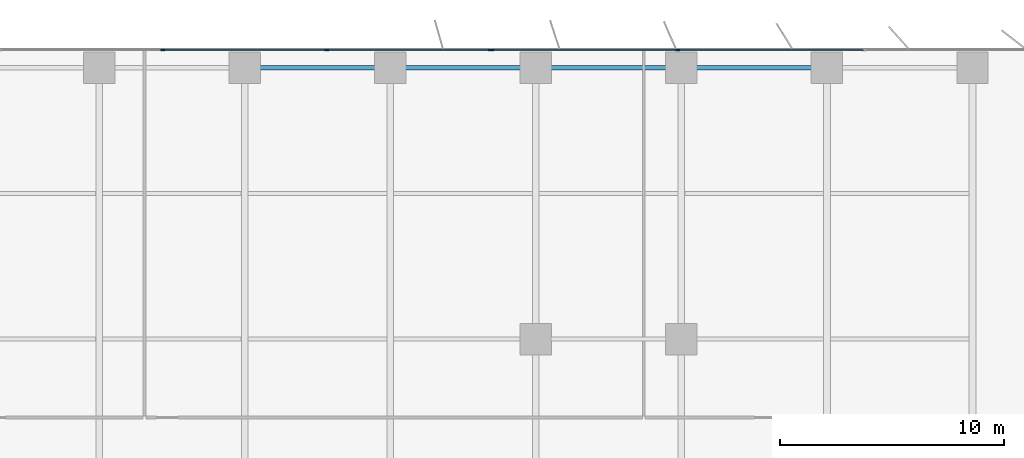
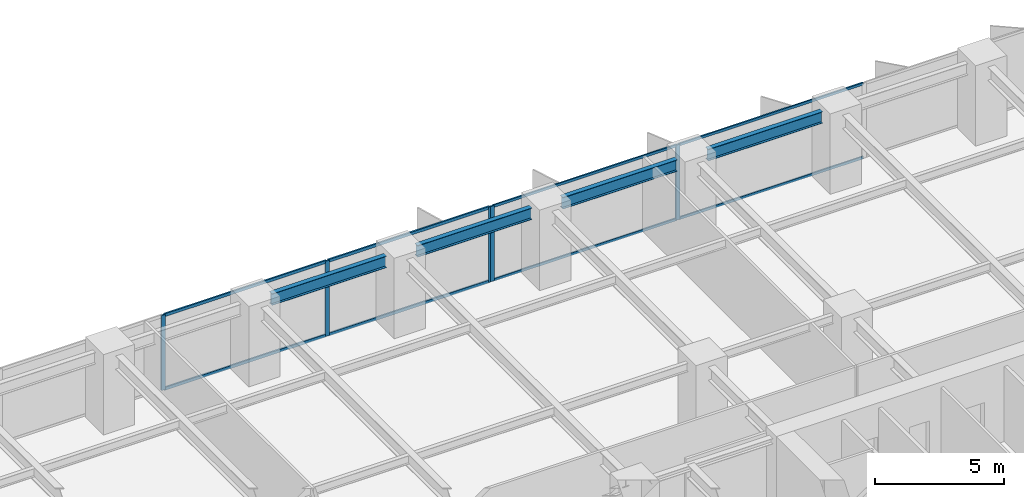
# One storey, part 9 of 20: 13 members, 4 beams, 2 elements without a shape of their own.
"""IFC4 building model written with IfcOpenShell, lengths in metres."""

from ifc_helpers import new_model, si_unit, direction, frame, origin, origin_2d, place, context, subcontext, project, spatial, rectangle, i_section, extrude, material, layer, layer_set, material_profile, profile_set, type_object, element, aggregate, save


model = new_model("IFC4")

# Units and contexts
model_context = context("Model", 3, precision=1e-05, world=origin(), true_north=direction((0.0, 1.0)))
body_context = subcontext(model_context, "Body", "Model", "MODEL_VIEW")
ifc_project = project(units=[si_unit("LENGTHUNIT", "METRE"), si_unit("AREAUNIT", "SQUARE_METRE"), si_unit("VOLUMEUNIT", "CUBIC_METRE"), si_unit("PLANEANGLEUNIT", "RADIAN"), si_unit("MASSUNIT", "GRAM", prefix="KILO")], contexts=[model_context])

# Site, building, storey
site_placement = place(None, origin())
site = spatial("IfcSite", under=ifc_project, at=site_placement, CompositionType="ELEMENT")
building_placement = place(site_placement, origin())
building = spatial("IfcBuilding", under=site, at=building_placement, Name="Putna Gate Headquarters", CompositionType="ELEMENT")
storey_placement = place(building_placement, frame((0.0, 0.0, 62.0)))
storey = spatial("IfcBuildingStorey", under=building, at=storey_placement, Name="L14", CompositionType="ELEMENT", Elevation=62.0)

# Beams
ifc_material_1 = material(Name="Steel S355J2", Category="steel")
ifc_material_profile_1 = material_profile(ifc_material_1, i_section(OverallWidth=0.2099609375, OverallDepth=0.550048828125, WebThickness=0.010986328125, FlangeThickness=0.01708984375, at=origin_2d()), Name="Steel S355J2")
ifc_profile_set_1 = profile_set([ifc_material_profile_1], Name="Steel S355J2")
beam_type = type_object("IfcBeamType", Name="BM-SPAN-Z1-IPE550", PredefinedType="SPANDREL", material=ifc_profile_set_1)
for number, where, z_axis, x_axis, name in (
    (1, (39.68798828125, 51.1201171875, 3.27490234375), (1.0, 0.0, 0.0), (0.0, 1.0, 0.0), "L14 N Perimeter Spandrel 6"),
    (2, (46.18798828125, 51.1201171875, 3.27490234375), (1.0, 0.0, 0.0), (0.0, 1.0, 0.0), "L14 N Perimeter Spandrel 7"),
    (3, (52.68798828125, 51.1201171875, 3.27490234375), (1.0, 0.0, 0.0), (0.0, 1.0, 0.0), "L14 N Perimeter Spandrel 8"),
    (4, (59.18798828125, 51.1201171875, 3.27490234375), (1.0, 0.0, 0.0), (0.0, 1.0, 0.0), "L14 N Perimeter Spandrel 9"),
):
    element("IfcBeam", number, at=place(storey_placement, frame(where, z_axis=z_axis, x_axis=x_axis)), inside=storey, type_object=beam_type, Name=name, PredefinedType="SPANDREL", context=body_context, shape_type="SweptSolid", body=[
        extrude(i_section(OverallWidth=0.2099609375, OverallDepth=0.550048828125, WebThickness=0.010986328125, FlangeThickness=0.01708984375, at=origin_2d()), origin(), (0.0, 0.0, 1.0), 5.1240234375),
    ])

# Curtain wall, members
ifc_material_2 = material(Name="Anodised bronze aluminium curtain wall", Category="aluminium")
ifc_layer_1 = layer(ifc_material_2, 0.179931640625)
ifc_layer_set_1 = layer_set([ifc_layer_1], Name="Anodised bronze aluminium curtain wall")
curtain_wall_type_1 = type_object("IfcCurtainWallType", Name="CW-SYS-Z1", PredefinedType="USERDEFINED", material=ifc_layer_set_1)
curtain_wall_1_placement = place(storey_placement, origin())
curtain_wall_1 = element("IfcCurtainWall", 5, at=curtain_wall_1_placement, inside=storey, type_object=curtain_wall_type_1, Name="L14 North East Curtain Wall", ObjectType="STICK CURTAIN WALL", PredefinedType="USERDEFINED")
ifc_material_3 = material(Name="Anodised bronze aluminium EN AW-6060", Category="aluminium")
ifc_material_profile_2 = material_profile(ifc_material_3, rectangle(XDim=0.070068359375, YDim=0.179931640625, at=origin_2d()), Name="Anodised bronze aluminium EN AW-6060")
ifc_profile_set_2 = profile_set([ifc_material_profile_2], Name="Anodised bronze aluminium EN AW-6060")
member_type_1 = type_object("IfcMemberType", Name="MULL-CWM-1", PredefinedType="MULLION", material=ifc_profile_set_2)
member_1_placement = place(storey_placement, frame((50.034912109375, 51.919921875, 0.0), z_axis=(0.0, 0.0, 1.0), x_axis=(0.0, 1.0, 0.0)))
member_1 = element("IfcMember", 6, at=member_1_placement, type_object=member_type_1, Name="CWS-1 mullion 1", PredefinedType="MULLION", context=body_context, shape_type="SweptSolid", body=[
    extrude(rectangle(XDim=0.070068359375, YDim=0.179931640625, at=origin_2d()), origin(), (0.0, 0.0, 1.0), 3.550048828125),
])
member_2_placement = place(storey_placement, frame((58.333251953125, 51.919921875, 0.0), z_axis=(0.0, 0.0, 1.0), x_axis=(0.0, 1.0, 0.0)))
member_2 = element("IfcMember", 7, at=member_2_placement, type_object=member_type_1, Name="CWS-1 mullion 2", PredefinedType="MULLION", context=body_context, shape_type="SweptSolid", body=[
    extrude(rectangle(XDim=0.070068359375, YDim=0.179931640625, at=origin_2d()), origin(), (0.0, 0.0, 1.0), 3.550048828125),
])

ifc_layer_2 = layer(ifc_material_2, 0.179931640625)
ifc_layer_set_2 = layer_set([ifc_layer_2], Name="Anodised bronze aluminium curtain wall")
curtain_wall_type_2 = type_object("IfcCurtainWallType", Name="CW-SYS-ATR", PredefinedType="USERDEFINED", material=ifc_layer_set_2)
curtain_wall_2_placement = place(storey_placement, origin())
curtain_wall_2 = element("IfcCurtainWall", 8, at=curtain_wall_2_placement, inside=storey, type_object=curtain_wall_type_2, Name="L14 North Atrium Clear Glazing", ObjectType="ATRIUM GLAZING", PredefinedType="USERDEFINED")
ifc_material_profile_3 = material_profile(ifc_material_3, rectangle(XDim=0.070068359375, YDim=0.179931640625, at=origin_2d()), Name="Anodised bronze aluminium EN AW-6060")
ifc_profile_set_3 = profile_set([ifc_material_profile_3], Name="Anodised bronze aluminium EN AW-6060")
member_type_2 = type_object("IfcMemberType", Name="MULL-CWM-AT", PredefinedType="MULLION", material=ifc_profile_set_3)
member_3_placement = place(storey_placement, frame((35.333251953125, 51.919921875, 0.0), z_axis=(0.0, 0.0, 1.0), x_axis=(0.0, 1.0, 0.0)))
member_3 = element("IfcMember", 9, at=member_3_placement, type_object=member_type_2, Name="CWS-AT mullion 2", PredefinedType="MULLION", context=body_context, shape_type="SweptSolid", body=[
    extrude(rectangle(XDim=0.070068359375, YDim=0.179931640625, at=origin_2d()), origin(), (0.0, 0.0, 1.0), 3.550048828125),
])
member_4_placement = place(storey_placement, frame((42.666748046875, 51.919921875, 0.0), z_axis=(0.0, 0.0, 1.0), x_axis=(0.0, 1.0, 0.0)))
member_4 = element("IfcMember", 10, at=member_4_placement, type_object=member_type_2, Name="CWS-AT mullion 3", PredefinedType="MULLION", context=body_context, shape_type="SweptSolid", body=[
    extrude(rectangle(XDim=0.070068359375, YDim=0.179931640625, at=origin_2d()), origin(), (0.0, 0.0, 1.0), 3.550048828125),
])
member_5_placement = place(storey_placement, frame((49.965087890625, 51.919921875, 0.0), z_axis=(0.0, 0.0, 1.0), x_axis=(0.0, 1.0, 0.0)))
member_5 = element("IfcMember", 11, at=member_5_placement, type_object=member_type_2, Name="CWS-AT mullion 4", PredefinedType="MULLION", context=body_context, shape_type="SweptSolid", body=[
    extrude(rectangle(XDim=0.070068359375, YDim=0.179931640625, at=origin_2d()), origin(), (0.0, 0.0, 1.0), 3.550048828125),
])

# Member
ifc_material_profile_4 = material_profile(ifc_material_3, rectangle(XDim=0.06494140625, YDim=0.1201171875, at=origin_2d()), Name="Anodised bronze aluminium EN AW-6060")
ifc_profile_set_4 = profile_set([ifc_material_profile_4], Name="Anodised bronze aluminium EN AW-6060")
member_type_3 = type_object("IfcMemberType", Name="TRAN-CWT-1", PredefinedType="USERDEFINED", material=ifc_profile_set_4)
member_6_placement = place(storey_placement, frame((50.070068359375, 51.919921875, 0.032470703125), z_axis=(1.0, 0.0, 0.0), x_axis=(0.0, 1.0, 0.0)))
member_6 = element("IfcMember", 12, at=member_6_placement, type_object=member_type_3, Name="CWS-1 transom 1.1", ObjectType="TRANSOM", PredefinedType="USERDEFINED", context=body_context, shape_type="SweptSolid", body=[
    extrude(rectangle(XDim=0.06494140625, YDim=0.1201171875, at=origin_2d()), origin(), (0.0, 0.0, 1.0), 8.228271484375),
])

member_7_placement = place(storey_placement, frame((50.070068359375, 51.919921875, 3.517578125), z_axis=(1.0, 0.0, 0.0), x_axis=(0.0, 1.0, 0.0)))
member_7 = element("IfcMember", 13, at=member_7_placement, type_object=member_type_3, Name="CWS-1 transom 1.2", ObjectType="TRANSOM", PredefinedType="USERDEFINED", context=body_context, shape_type="SweptSolid", body=[
    extrude(rectangle(XDim=0.06494140625, YDim=0.1201171875, at=origin_2d()), origin(), (0.0, 0.0, 1.0), 8.228271484375),
])

member_8_placement = place(storey_placement, frame((58.368408203125, 51.919921875, 0.032470703125), z_axis=(1.0, 0.0, 0.0), x_axis=(0.0, 1.0, 0.0)))
member_8 = element("IfcMember", 14, at=member_8_placement, type_object=member_type_3, Name="CWS-1 transom 2.1", ObjectType="TRANSOM", PredefinedType="USERDEFINED", context=body_context, shape_type="SweptSolid", body=[
    extrude(rectangle(XDim=0.06494140625, YDim=0.1201171875, at=origin_2d()), origin(), (0.0, 0.0, 1.0), 8.26318359375),
])

member_9_placement = place(storey_placement, frame((58.368408203125, 51.919921875, 3.517578125), z_axis=(1.0, 0.0, 0.0), x_axis=(0.0, 1.0, 0.0)))
member_9 = element("IfcMember", 15, at=member_9_placement, type_object=member_type_3, Name="CWS-1 transom 2.2", ObjectType="TRANSOM", PredefinedType="USERDEFINED", context=body_context, shape_type="SweptSolid", body=[
    extrude(rectangle(XDim=0.06494140625, YDim=0.1201171875, at=origin_2d()), origin(), (0.0, 0.0, 1.0), 8.26318359375),
])

aggregate(curtain_wall_1, [member_1, member_2, member_6, member_7, member_8, member_9])

ifc_material_profile_5 = material_profile(ifc_material_3, rectangle(XDim=0.070068359375, YDim=0.139892578125, at=origin_2d()), Name="Anodised bronze aluminium EN AW-6060")
ifc_profile_set_5 = profile_set([ifc_material_profile_5], Name="Anodised bronze aluminium EN AW-6060")
member_type_4 = type_object("IfcMemberType", Name="TRAN-CWT-AT", PredefinedType="USERDEFINED", material=ifc_profile_set_5)
member_10_placement = place(storey_placement, frame((35.368408203125, 51.919921875, 0.034912109375), z_axis=(1.0, 0.0, 0.0), x_axis=(0.0, 1.0, 0.0)))
member_10 = element("IfcMember", 16, at=member_10_placement, type_object=member_type_4, Name="CWS-AT transom 2.1", ObjectType="TRANSOM", PredefinedType="USERDEFINED", context=body_context, shape_type="SweptSolid", body=[
    extrude(rectangle(XDim=0.070068359375, YDim=0.139892578125, at=origin_2d()), origin(), (0.0, 0.0, 1.0), 7.26318359375),
])

member_11_placement = place(storey_placement, frame((35.368408203125, 51.919921875, 3.514892578125), z_axis=(1.0, 0.0, 0.0), x_axis=(0.0, 1.0, 0.0)))
member_11 = element("IfcMember", 17, at=member_11_placement, type_object=member_type_4, Name="CWS-AT transom 2.2", ObjectType="TRANSOM", PredefinedType="USERDEFINED", context=body_context, shape_type="SweptSolid", body=[
    extrude(rectangle(XDim=0.070068359375, YDim=0.139892578125, at=origin_2d()), origin(), (0.0, 0.0, 1.0), 7.26318359375),
])

member_12_placement = place(storey_placement, frame((42.70166015625, 51.919921875, 0.034912109375), z_axis=(1.0, 0.0, 0.0), x_axis=(0.0, 1.0, 0.0)))
member_12 = element("IfcMember", 18, at=member_12_placement, type_object=member_type_4, Name="CWS-AT transom 3.1", ObjectType="TRANSOM", PredefinedType="USERDEFINED", context=body_context, shape_type="SweptSolid", body=[
    extrude(rectangle(XDim=0.070068359375, YDim=0.139892578125, at=origin_2d()), origin(), (0.0, 0.0, 1.0), 7.228271484375),
])

member_13_placement = place(storey_placement, frame((42.70166015625, 51.919921875, 3.514892578125), z_axis=(1.0, 0.0, 0.0), x_axis=(0.0, 1.0, 0.0)))
member_13 = element("IfcMember", 19, at=member_13_placement, type_object=member_type_4, Name="CWS-AT transom 3.2", ObjectType="TRANSOM", PredefinedType="USERDEFINED", context=body_context, shape_type="SweptSolid", body=[
    extrude(rectangle(XDim=0.070068359375, YDim=0.139892578125, at=origin_2d()), origin(), (0.0, 0.0, 1.0), 7.228271484375),
])

aggregate(curtain_wall_2, [member_3, member_4, member_5, member_10, member_11, member_12, member_13])

save(model, "model.ifc")
